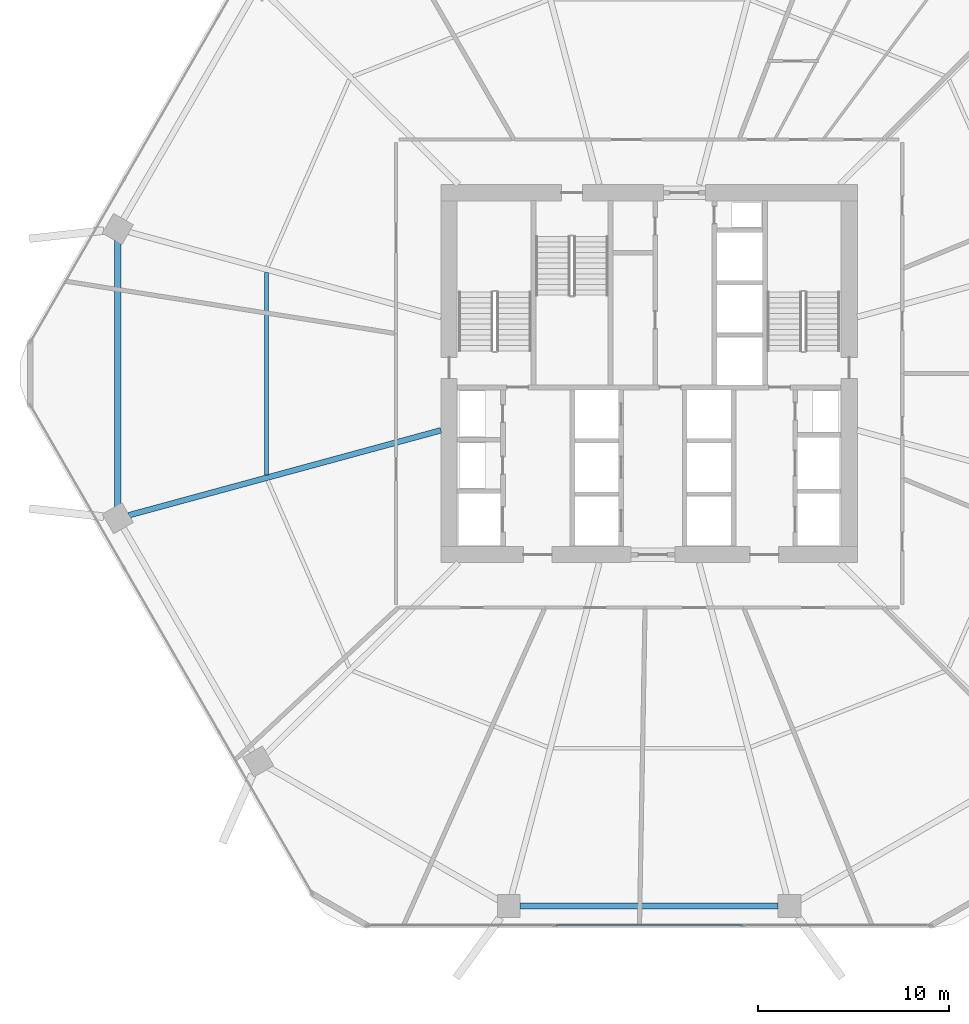
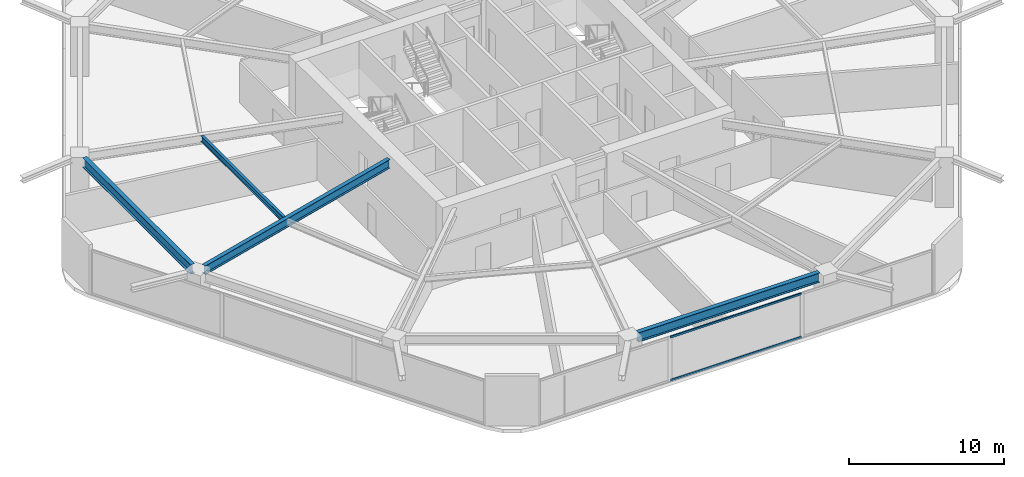
# One storey, part 6 of 25: 4 beams, 2 members, 1 element without a shape of its own.
"""IFC4 building model written with IfcOpenShell, lengths in metres."""

from ifc_helpers import new_model, si_unit, direction, frame, origin, origin_2d, place, context, subcontext, project, spatial, hollow_rectangle, i_section, extrude, material, material_profile, profile_set, type_object, element, aggregate, save


model = new_model("IFC4")

# Units and contexts
model_context = context("Model", 3, precision=1e-05, world=origin(), true_north=direction((0.0, 1.0)))
body_context = subcontext(model_context, "Body", "Model", "MODEL_VIEW")
ifc_project = project(units=[si_unit("LENGTHUNIT", "METRE"), si_unit("AREAUNIT", "SQUARE_METRE"), si_unit("VOLUMEUNIT", "CUBIC_METRE"), si_unit("PLANEANGLEUNIT", "RADIAN"), si_unit("MASSUNIT", "GRAM", prefix="KILO")], contexts=[model_context])

# Site, building, storey
site_placement = place(None, origin())
site = spatial("IfcSite", under=ifc_project, at=site_placement, CompositionType="ELEMENT")
building_placement = place(site_placement, origin())
building = spatial("IfcBuilding", under=site, at=building_placement, Name="Zuhravey Tower", CompositionType="ELEMENT")
storey_placement = place(building_placement, frame((0.0, 0.0, 70.800048828125)))
storey = spatial("IfcBuildingStorey", under=building, at=storey_placement, Name="L17", CompositionType="ELEMENT", Elevation=70.800048828125)

# Curtain wall, members
ifc_material_1 = material(Name="Thermally broken anodised aluminium", Category="aluminium")
curtain_wall_type = type_object("IfcCurtainWallType", Name="School Low-E Unitised Curtain Wall CW1", PredefinedType="NOTDEFINED", material=ifc_material_1)
curtain_wall_placement = place(storey_placement, origin())
curtain_wall = element("IfcCurtainWall", 1, at=curtain_wall_placement, inside=storey, type_object=curtain_wall_type, Name="L17 CW1 CW-L17-F5-1", PredefinedType="NOTDEFINED")
ifc_material_2 = material(Name="Anodised aluminium", Category="aluminium")
ifc_material_profile_1 = material_profile(ifc_material_2, hollow_rectangle(XDim=0.090087890625, YDim=0.14990234375, WallThickness=0.0048828125, at=origin_2d()), Name="ALU-RHS-90x150x5")
ifc_profile_set_1 = profile_set([ifc_material_profile_1], Name="Anodised aluminium")
member_type = type_object("IfcMemberType", Name="Curtain-Wall Transom 90x150", PredefinedType="USERDEFINED", material=ifc_profile_set_1)
member_1_placement = place(storey_placement, frame((40.88818359375, 3.04150390625, 0.044921875), z_axis=(-1.0, 0.0, 0.0), x_axis=(0.0, -1.0, 0.0)))
member_1 = element("IfcMember", 2, at=member_1_placement, type_object=member_type, Name="CW1 transom 2.1", ObjectType="TRANSOM", PredefinedType="USERDEFINED", context=body_context, shape_type="SweptSolid", body=[
    extrude(hollow_rectangle(XDim=0.090087890625, YDim=0.14990234375, WallThickness=0.0048828125, at=origin_2d()), origin(), (0.0, 0.0, 1.0), 9.7763671875),
])
member_2_placement = place(storey_placement, frame((40.88818359375, 3.04150390625, 3.447021484375), z_axis=(-1.0, 0.0, 0.0), x_axis=(0.0, -1.0, 0.0)))
member_2 = element("IfcMember", 3, at=member_2_placement, type_object=member_type, Name="CW1 transom 2.2", ObjectType="TRANSOM", PredefinedType="USERDEFINED", context=body_context, shape_type="SweptSolid", body=[
    extrude(hollow_rectangle(XDim=0.090087890625, YDim=0.14990234375, WallThickness=0.0048828125, at=origin_2d()), origin(), (0.0, 0.0, 1.0), 9.7763671875),
])
aggregate(curtain_wall, [member_1, member_2])

# Beams
ifc_material_3 = material(Name="Steel SM355", Category="steel")
ifc_material_profile_2 = material_profile(ifc_material_3, i_section(OverallWidth=0.320068359375, OverallDepth=0.75, WebThickness=0.013916015625, FlangeThickness=0.02490234375, at=origin_2d()), Name="H-750x320x14x25")
ifc_profile_set_2 = profile_set([ifc_material_profile_2], Name="Steel SM355")
beam_type_1 = type_object("IfcBeamType", Name="Perimeter Ring Beam H750x320", PredefinedType="BEAM", material=ifc_profile_set_2)
beam_1_placement = place(storey_placement, frame((8.11083984375, 38.988525390625, 3.544921875), z_axis=(0.0, -1.0, 0.0), x_axis=(1.0, 0.0, 0.0)))
element("IfcBeam", 4, at=beam_1_placement, inside=storey, type_object=beam_type_1, Name="L17 PB1 BM-L17-PB-06", PredefinedType="BEAM", context=body_context, shape_type="SweptSolid", body=[
    extrude(i_section(OverallWidth=0.320068359375, OverallDepth=0.75, WebThickness=0.013916015625, FlangeThickness=0.02490234375, at=origin_2d()), origin(), (0.0, 0.0, 1.0), 13.97705078125),
])
beam_2_placement = place(storey_placement, frame((29.23291015625, 4.051513671875, 3.544921875), z_axis=(1.0, 0.0, 0.0), x_axis=(0.0, 1.0, 0.0)))
element("IfcBeam", 5, at=beam_2_placement, inside=storey, type_object=beam_type_1, Name="L17 PB1 BM-L17-PB-09", PredefinedType="BEAM", context=body_context, shape_type="SweptSolid", body=[
    extrude(i_section(OverallWidth=0.320068359375, OverallDepth=0.75, WebThickness=0.013916015625, FlangeThickness=0.02490234375, at=origin_2d()), origin(), (0.0, 0.0, 1.0), 13.5341796875),
])
ifc_material_profile_3 = material_profile(ifc_material_3, i_section(OverallWidth=0.300048828125, OverallDepth=0.699951171875, WebThickness=0.012939453125, FlangeThickness=0.02392578125, at=origin_2d()), Name="H-700x300x13x24")
ifc_profile_set_3 = profile_set([ifc_material_profile_3], Name="Steel SM355")
beam_type_2 = type_object("IfcBeamType", Name="Radial Primary Girder H700x300", PredefinedType="BEAM", material=ifc_profile_set_3)
beam_3_placement = place(storey_placement, frame((25.072021484375, 29.025390625, 3.570068359375), z_axis=(-0.964892480455, -0.26264520015, 0.0), x_axis=(0.26264520015, -0.964892480455, 0.0)))
element("IfcBeam", 6, at=beam_3_placement, inside=storey, type_object=beam_type_2, Name="L17 RG1 BM-L17-RAD-07", PredefinedType="BEAM", context=body_context, shape_type="SweptSolid", body=[
    extrude(i_section(OverallWidth=0.300048828125, OverallDepth=0.699951171875, WebThickness=0.012939453125, FlangeThickness=0.02392578125, at=origin_2d()), origin(), (0.0, 0.0, 1.0), 16.975341796875),
])
ifc_material_profile_4 = material_profile(ifc_material_3, i_section(OverallWidth=0.199951171875, OverallDepth=0.449951171875, WebThickness=0.009033203125, FlangeThickness=0.013916015625, at=origin_2d()), Name="H-450x200x9x14")
ifc_profile_set_4 = profile_set([ifc_material_profile_4], Name="Steel SM355")
beam_type_3 = type_object("IfcBeamType", Name="Secondary Floor Joist H450x200", PredefinedType="JOIST", material=ifc_profile_set_4)
beam_4_placement = place(storey_placement, frame((15.9130859375, 37.313720703125, 3.695068359375), z_axis=(0.0, -1.0, 0.0), x_axis=(1.0, 0.0, 0.0)))
element("IfcBeam", 7, at=beam_4_placement, inside=storey, type_object=beam_type_3, Name="L17 SJ1 BM-L17-SJ-06-1", PredefinedType="JOIST", context=body_context, shape_type="SweptSolid", body=[
    extrude(i_section(OverallWidth=0.199951171875, OverallDepth=0.449951171875, WebThickness=0.009033203125, FlangeThickness=0.013916015625, at=origin_2d()), origin(), (0.0, 0.0, 1.0), 10.62744140625),
])

save(model, "model.ifc")
